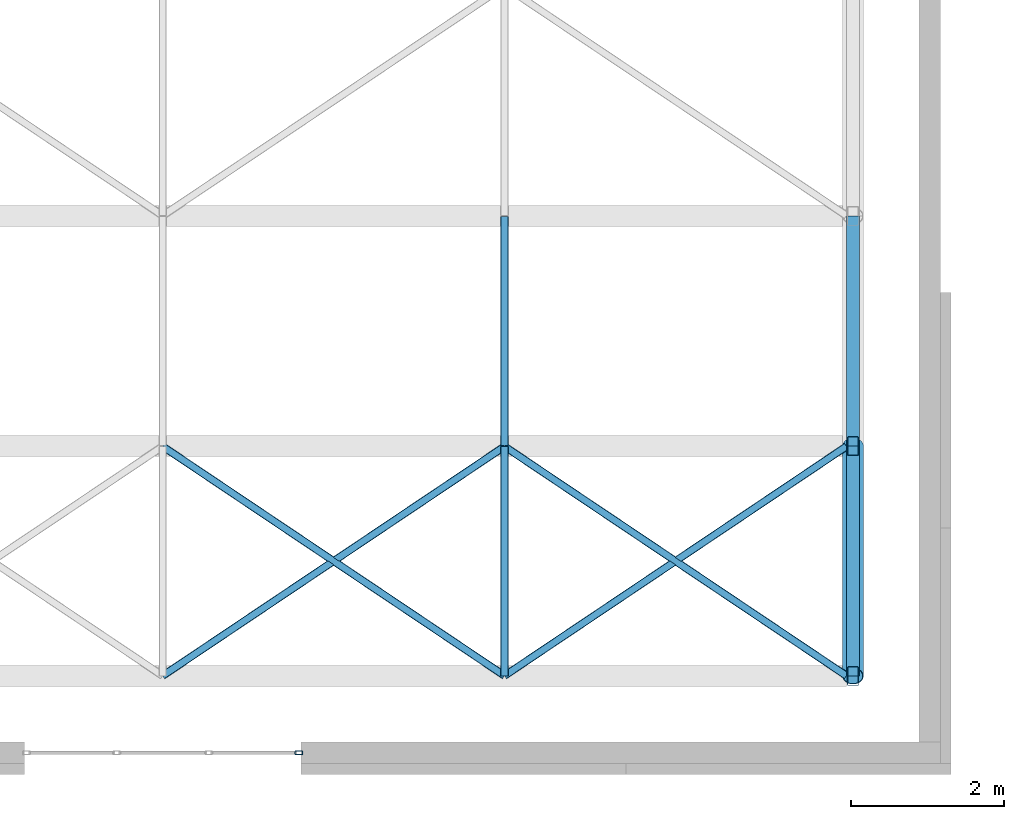
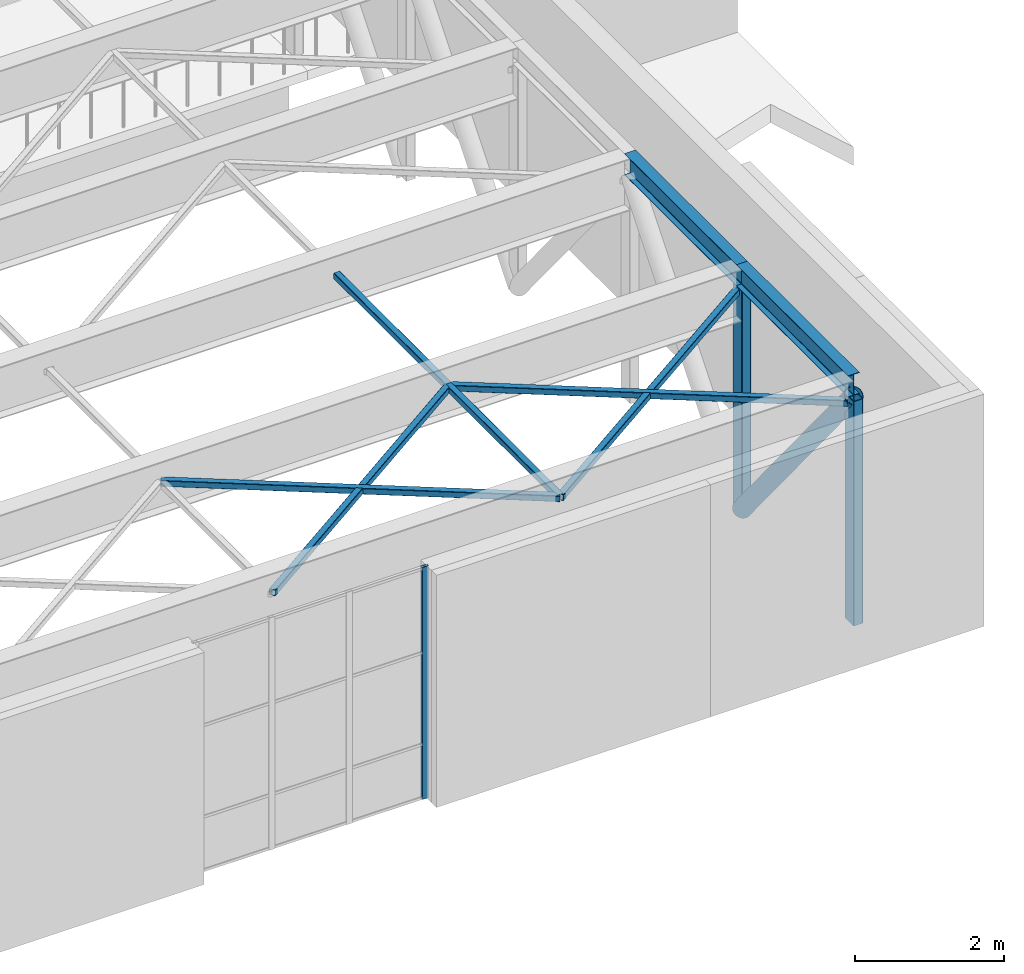
# One storey, part 30 of 81: 12 members, 1 element without a shape of its own.
"""IFC4 building model written with IfcOpenShell, lengths in metres."""

from ifc_helpers import new_model, si_unit, direction, frame, origin, origin_2d, place, context, subcontext, project, spatial, hollow_rectangle, hollow_circle, i_section, extrude, material, layer, layer_set, material_profile, profile_set, type_object, element, aggregate, save


model = new_model("IFC4")

# Units and contexts
model_context = context("Model", 3, precision=1e-05, world=origin(), true_north=direction((0.0, 1.0)))
body_context = subcontext(model_context, "Body", "Model", "MODEL_VIEW")
ifc_project = project(units=[si_unit("LENGTHUNIT", "METRE"), si_unit("AREAUNIT", "SQUARE_METRE"), si_unit("VOLUMEUNIT", "CUBIC_METRE"), si_unit("PLANEANGLEUNIT", "RADIAN"), si_unit("MASSUNIT", "GRAM", prefix="KILO")], contexts=[model_context])

# Site, building, storey
site_placement = place(None, origin())
site = spatial("IfcSite", under=ifc_project, at=site_placement, CompositionType="ELEMENT")
building_placement = place(site_placement, origin())
building = spatial("IfcBuilding", under=site, at=building_placement, Name="Tuart Plaza Theatre", CompositionType="ELEMENT")
storey_placement = place(building_placement, frame((0.0, 0.0, 17.5)))
storey = spatial("IfcBuildingStorey", under=building, at=storey_placement, Name="L04", CompositionType="ELEMENT", Elevation=17.5)

# Members
ifc_material_1 = material(Name="Steel Grade 300", Category="steel")
ifc_material_profile_1 = material_profile(ifc_material_1, i_section(OverallWidth=0.1708984375, OverallDepth=0.35205078125, WebThickness=0.0068359375, FlangeThickness=0.009765625, FilletRadius=0.011474609375, at=origin_2d()), Name="360UB44.7")
ifc_profile_set_1 = profile_set([ifc_material_profile_1], Name="Steel Grade 300")
member_type_1 = type_object("IfcMemberType", Name="BELT TRUSS Chord 360UB44.7", PredefinedType="CHORD", material=ifc_profile_set_1)
for number, where, z_axis, x_axis, name in (
    (1, (105.0, 32.0, 3.6240234375), (0.0, 1.0, 0.0), (-1.0, 0.0, 0.0), "CH66"),
    (2, (105.0, 35.0, 3.6240234375), (0.0, 1.0, 0.0), (-1.0, 0.0, 0.0), "CH67"),
):
    element("IfcMember", number, at=place(storey_placement, frame(where, z_axis=z_axis, x_axis=x_axis)), inside=storey, type_object=member_type_1, Name=name, PredefinedType="CHORD", context=body_context, shape_type="SweptSolid", body=[
        extrude(i_section(OverallWidth=0.1708984375, OverallDepth=0.35205078125, WebThickness=0.0068359375, FlangeThickness=0.009765625, FilletRadius=0.011474609375, at=origin_2d()), origin(), (0.0, 0.0, 1.0), 3.0),
    ])
ifc_material_2 = material(Name="Steel Grade C350L0", Category="steel")
ifc_material_profile_2 = material_profile(ifc_material_2, hollow_circle(Radius=0.136474609375, WallThickness=0.00927734375, at=origin_2d()), Name="273.1x9.3 CHS")
ifc_profile_set_2 = profile_set([ifc_material_profile_2], Name="Steel Grade C350L0")
member_type_2 = type_object("IfcMemberType", Name="BELT TRUSS Diagonal 273.1x9.3 CHS", PredefinedType="BRACE", material=ifc_profile_set_2)
member_1_placement = place(storey_placement, frame((105.0, 35.0, -0.22412109375), z_axis=(0.0, -0.63267406752, 0.774418184373), x_axis=(1.0, 0.0, 0.0)))
element("IfcMember", 3, at=member_1_placement, inside=storey, type_object=member_type_2, Name="BR166", PredefinedType="BRACE", context=body_context, shape_type="SweptSolid", body=[
    extrude(hollow_circle(Radius=0.136474609375, WallThickness=0.00927734375, at=origin_2d()), origin(), (0.0, 0.0, 1.0), 4.74169921875),
])
ifc_material_3 = material(Name="Steel Grade C350L0", Category="steel")
ifc_material_profile_3 = material_profile(ifc_material_3, hollow_rectangle(XDim=0.14990234375, YDim=0.25, WallThickness=0.009033203125, InnerFilletRadius=0.009033203125, OuterFilletRadius=0.01806640625, at=origin_2d()), Name="250x150x9 RHS")
ifc_profile_set_3 = profile_set([ifc_material_profile_3], Name="Steel Grade C350L0")
member_type_3 = type_object("IfcMemberType", Name="BELT TRUSS Post 250x150x9 RHS", PredefinedType="POST", material=ifc_profile_set_3)
for number, where, z_axis, x_axis, name in (
    (4, (105.0, 32.0, -0.22412109375), (0.0, 0.0, 1.0), (1.0, 0.0, 0.0), "PO228"),
    (5, (105.0, 35.0, -0.22412109375), (0.0, 0.0, 1.0), (1.0, 0.0, 0.0), "PO230"),
):
    element("IfcMember", number, at=place(storey_placement, frame(where, z_axis=z_axis, x_axis=x_axis)), inside=storey, type_object=member_type_3, Name=name, PredefinedType="POST", context=body_context, shape_type="SweptSolid", body=[
        extrude(hollow_rectangle(XDim=0.14990234375, YDim=0.25, WallThickness=0.009033203125, InnerFilletRadius=0.009033203125, OuterFilletRadius=0.01806640625, at=origin_2d()), origin(), (0.0, 0.0, 1.0), 3.672119140625),
    ])
ifc_material_4 = material(Name="Steel Grade C350L0", Category="steel")
ifc_material_profile_4 = material_profile(ifc_material_4, hollow_rectangle(XDim=0.10009765625, YDim=0.10009765625, WallThickness=0.006103515625, InnerFilletRadius=0.006103515625, OuterFilletRadius=0.011962890625, at=origin_2d()), Name="100x100x6 SHS")
ifc_profile_set_4 = profile_set([ifc_material_profile_4], Name="Steel Grade C350L0")
member_type_4 = type_object("IfcMemberType", Name="MEMBER Brace 100x100x6 SHS", PredefinedType="BRACE", material=ifc_profile_set_4)
for number, where, z_axis, x_axis, name in (
    (6, (96.0, 32.0048828125, 3.375), (0.830437288335, 0.557112116313, 0.0), (-0.557112116313, 0.830437288335, 0.0), "BR177"),
    (7, (96.0, 34.9951171875, 3.375), (0.830437288335, -0.557112116313, 0.0), (0.557112116313, 0.830437288335, 0.0), "BR177"),
    (8, (100.457275390625, 32.0048828125, 3.375), (0.830437288335, 0.557112116313, 0.0), (-0.557112116313, 0.830437288335, 0.0), "BR178"),
    (9, (100.457275390625, 34.9951171875, 3.375), (0.830437288335, -0.557112116313, 0.0), (0.557112116313, 0.830437288335, 0.0), "BR178"),
):
    element("IfcMember", number, at=place(storey_placement, frame(where, z_axis=z_axis, x_axis=x_axis)), inside=storey, type_object=member_type_4, Name=name, PredefinedType="BRACE", context=body_context, shape_type="SweptSolid", body=[
        extrude(hollow_rectangle(XDim=0.10009765625, YDim=0.10009765625, WallThickness=0.006103515625, InnerFilletRadius=0.006103515625, OuterFilletRadius=0.011962890625, at=origin_2d()), origin(), (0.0, 0.0, 1.0), 5.367431640625),
    ])
ifc_material_5 = material(Name="Steel Grade C350L0", Category="steel")
ifc_material_profile_5 = material_profile(ifc_material_5, hollow_rectangle(XDim=0.10009765625, YDim=0.10009765625, WallThickness=0.006103515625, InnerFilletRadius=0.006103515625, OuterFilletRadius=0.011962890625, at=origin_2d()), Name="100x100x6 SHS")
ifc_profile_set_5 = profile_set([ifc_material_profile_5], Name="Steel Grade C350L0")
member_type_5 = type_object("IfcMemberType", Name="MEMBER Purlin 100x100x6 SHS", PredefinedType="PURLIN", material=ifc_profile_set_5)
for number, where, z_axis, x_axis, name in (
    (10, (100.457275390625, 32.0048828125, 3.375), (0.0, 1.0, 0.0), (-1.0, 0.0, 0.0), "PU117"),
    (11, (100.457275390625, 35.0048828125, 3.375), (0.0, 1.0, 0.0), (-1.0, 0.0, 0.0), "PU120"),
):
    element("IfcMember", number, at=place(storey_placement, frame(where, z_axis=z_axis, x_axis=x_axis)), inside=storey, type_object=member_type_5, Name=name, PredefinedType="PURLIN", context=body_context, shape_type="SweptSolid", body=[
        extrude(hollow_rectangle(XDim=0.10009765625, YDim=0.10009765625, WallThickness=0.006103515625, InnerFilletRadius=0.006103515625, OuterFilletRadius=0.011962890625, at=origin_2d()), origin(), (0.0, 0.0, 1.0), 2.990234375),
    ])

# Curtain wall, member
ifc_material_6 = material(Name="Aluminium and glass", Category="aluminium")
ifc_layer = layer(ifc_material_6, 0.10009765625)
ifc_layer_set = layer_set([ifc_layer], Name="CURTAIN WALL 1200 module")
curtain_wall_type = type_object("IfcCurtainWallType", Name="CURTAIN WALL 1200 module", PredefinedType="NOTDEFINED", material=ifc_layer_set)
curtain_wall_placement = place(storey_placement, origin())
curtain_wall = element("IfcCurtainWall", 12, at=curtain_wall_placement, inside=storey, type_object=curtain_wall_type, Name="CW47", PredefinedType="NOTDEFINED")
ifc_material_7 = material(Name="Aluminium 6063-T5", Category="aluminium")
ifc_material_profile_6 = material_profile(ifc_material_7, hollow_rectangle(XDim=0.050048828125, YDim=0.10009765625, WallThickness=0.00390625, InnerFilletRadius=0.00390625, OuterFilletRadius=0.008056640625, at=origin_2d()), Name="RHS 100x50x4")
ifc_profile_set_6 = profile_set([ifc_material_profile_6], Name="Aluminium 6063-T5")
member_type_6 = type_object("IfcMemberType", Name="MULLION RHS 100x50x4", PredefinedType="MULLION", material=ifc_profile_set_6)
member_2_placement = place(storey_placement, frame((97.77490234375, 31.0, 0.0), z_axis=(0.0, 0.0, 1.0), x_axis=(0.0, 1.0, 0.0)))
member_2 = element("IfcMember", 13, at=member_2_placement, type_object=member_type_6, Name="CW47 mullion 4", PredefinedType="MULLION", context=body_context, shape_type="SweptSolid", body=[
    extrude(hollow_rectangle(XDim=0.050048828125, YDim=0.10009765625, WallThickness=0.00390625, InnerFilletRadius=0.00390625, OuterFilletRadius=0.008056640625, at=origin_2d()), origin(), (0.0, 0.0, 1.0), 3.800048828125),
])
aggregate(curtain_wall, [member_2])

save(model, "model.ifc")
